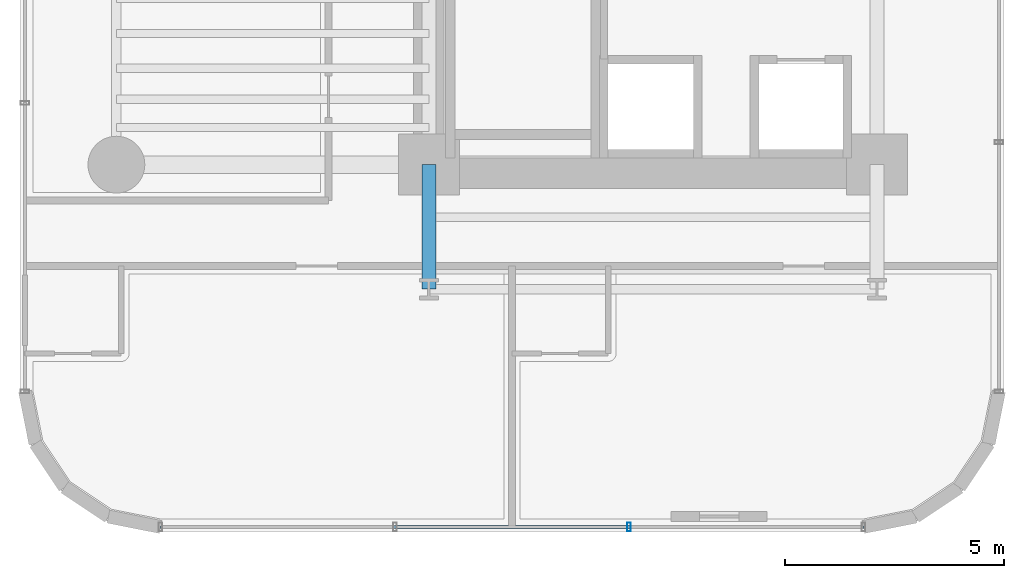
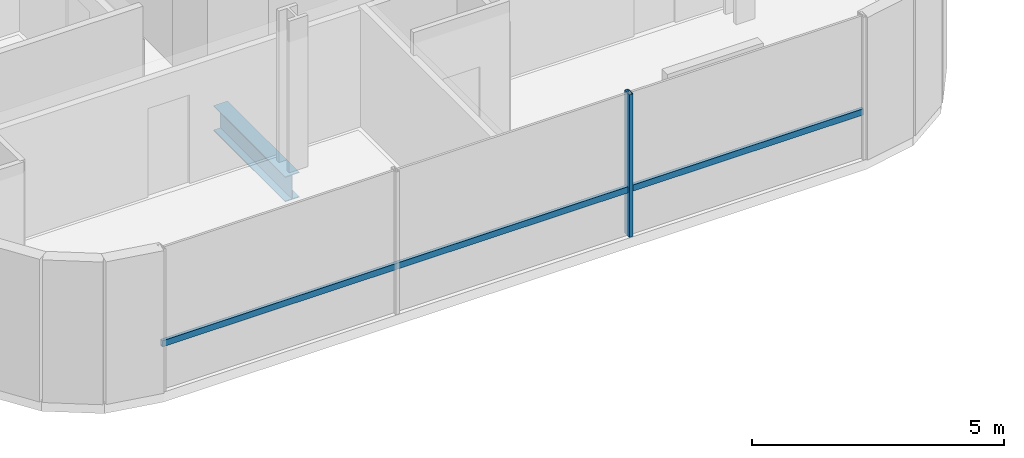
# One storey, part 3 of 42: 2 members, 1 beam, 1 element without a shape of its own.
"""IFC4 building model written with IfcOpenShell, lengths in metres."""

from ifc_helpers import new_model, si_unit, direction, frame, origin, origin_2d, place, context, subcontext, project, spatial, hollow_rectangle, i_section, extrude, source, transform, mapped, material, material_profile, profile_set, type_object, element, aggregate, save


model = new_model("IFC4")

# Units and contexts
model_context = context("Model", 3, precision=1e-05, world=origin(), true_north=direction((0.0, 1.0)))
body_context = subcontext(model_context, "Body", "Model", "MODEL_VIEW")
ifc_project = project(units=[si_unit("LENGTHUNIT", "METRE"), si_unit("AREAUNIT", "SQUARE_METRE"), si_unit("VOLUMEUNIT", "CUBIC_METRE"), si_unit("PLANEANGLEUNIT", "RADIAN"), si_unit("MASSUNIT", "GRAM", prefix="KILO")], contexts=[model_context])

# Site, building, storey
site_placement = place(None, origin())
site = spatial("IfcSite", under=ifc_project, at=site_placement, CompositionType="ELEMENT")
building_placement = place(site_placement, origin())
building = spatial("IfcBuilding", under=site, at=building_placement, Name="Valdorenza Pilgrim Sanctuary Tower", CompositionType="ELEMENT")
storey_placement = place(building_placement, frame((0.0, 0.0, 55.60009765625)))
storey = spatial("IfcBuildingStorey", under=building, at=storey_placement, Name="L13", CompositionType="ELEMENT", Elevation=55.60009765625)

# Beam
ifc_material_1 = material(Name="Steel ASTM A992 Grade 50", Category="steel")
ifc_material_profile_1 = material_profile(ifc_material_1, i_section(OverallWidth=0.323974609375, OverallDepth=0.611083984375, WebThickness=0.0126953125, FlangeThickness=0.01904296875, at=origin_2d()), Name="W24X104")
ifc_profile_set_1 = profile_set([ifc_material_profile_1], Name="Steel ASTM A992 Grade 50")
beam_type = type_object("IfcBeamType", Name="STR-BM-GRD-W24B", PredefinedType="BEAM", material=ifc_profile_set_1)
shared_shape_1 = source(origin(), body_context, "Body", "SweptSolid", [
    extrude(i_section(OverallWidth=0.323974609375, OverallDepth=0.611083984375, WebThickness=0.0126953125, FlangeThickness=0.01904296875, at=origin_2d()), origin(), (0.0, 0.0, 1.0), 2.849853515625),
])
beam_placement = place(storey_placement, frame((-22.64990234375, -13.449951171875, -0.545654296875), z_axis=(0.0, 1.0, 0.0), x_axis=(-1.0, 0.0, 0.0)))
element("IfcBeam", 1, at=beam_placement, inside=storey, type_object=beam_type, Name="L13 Floor Girder WA-S-LW", PredefinedType="BEAM", context=body_context, shape_type="MappedRepresentation", body=[
    mapped(shared_shape_1, transform((0.0, 0.0, 0.0), x_axis=(1.0, 0.0, 0.0), y_axis=(0.0, 1.0, 0.0), z_axis=(0.0, 0.0, 1.0), scale=1.0)),
])

# Curtain wall, members
ifc_material_2 = material(Name="Curtain-wall IGU glazing", Category="glass")
curtain_wall_type = type_object("IfcCurtainWallType", Name="CW-SYS-02", PredefinedType="NOTDEFINED", material=ifc_material_2)
curtain_wall_placement = place(storey_placement, origin())
curtain_wall = element("IfcCurtainWall", 2, at=curtain_wall_placement, inside=storey, type_object=curtain_wall_type, Name="L13 Curtain Wall CW-L13-1-46", PredefinedType="NOTDEFINED")
ifc_material_3 = material(Name="Anodised aluminium AW-6060", Category="aluminium")
ifc_material_profile_2 = material_profile(ifc_material_3, hollow_rectangle(XDim=0.0849609375, YDim=0.199951171875, WallThickness=0.0048828125, at=origin_2d()), Name="ALU-M 200x85x5")
ifc_profile_set_2 = profile_set([ifc_material_profile_2], Name="Anodised aluminium AW-6060")
member_type_1 = type_object("IfcMemberType", Name="CW-MUL-02", PredefinedType="MULLION", material=ifc_profile_set_2)
shared_shape_2 = source(origin(), body_context, "Body", "SweptSolid", [
    extrude(hollow_rectangle(XDim=0.0849609375, YDim=0.199951171875, WallThickness=0.0048828125, at=origin_2d()), origin(), (0.0, 0.0, 1.0), 3.4599609375),
])
member_1_placement = place(storey_placement, frame((-18.0703125, -18.889892578125, 0.0), z_axis=(0.0, 0.0, 1.0), x_axis=(-1.0, 0.0, 0.0)))
member_1 = element("IfcMember", 3, at=member_1_placement, type_object=member_type_1, Name="CW-L13-1-46 Mullion 2", PredefinedType="MULLION", context=body_context, shape_type="MappedRepresentation", body=[
    mapped(shared_shape_2, transform((0.0, 0.0, 0.0), x_axis=(1.0, 0.0, 0.0), y_axis=(0.0, 1.0, 0.0), z_axis=(0.0, 0.0, 1.0), scale=1.0)),
])
ifc_material_profile_3 = material_profile(ifc_material_3, hollow_rectangle(XDim=0.074951171875, YDim=0.14990234375, WallThickness=0.00390625, at=origin_2d()), Name="ALU-T 150x75x4")
ifc_profile_set_3 = profile_set([ifc_material_profile_3], Name="Anodised aluminium AW-6060")
member_type_2 = type_object("IfcMemberType", Name="CW-TRN-02", PredefinedType="USERDEFINED", material=ifc_profile_set_3)
shared_shape_3 = source(origin(), body_context, "Body", "SweptSolid", [
    extrude(hollow_rectangle(XDim=0.074951171875, YDim=0.14990234375, WallThickness=0.00390625, at=origin_2d()), origin(), (0.0, 0.0, 1.0), 16.07861328125),
])
member_2_placement = place(storey_placement, frame((-12.710693359375, -18.889892578125, 1.119873046875), z_axis=(-1.0, 0.0, 0.0), x_axis=(0.0, -1.0, 0.0)))
member_2 = element("IfcMember", 4, at=member_2_placement, type_object=member_type_2, Name="CW-L13-1-46 Transom 1", ObjectType="TRANSOM", PredefinedType="USERDEFINED", context=body_context, shape_type="MappedRepresentation", body=[
    mapped(shared_shape_3, transform((0.0, 0.0, 0.0), x_axis=(1.0, 0.0, 0.0), y_axis=(0.0, 1.0, 0.0), z_axis=(0.0, 0.0, 1.0), scale=1.0)),
])
aggregate(curtain_wall, [member_1, member_2])

save(model, "model.ifc")
